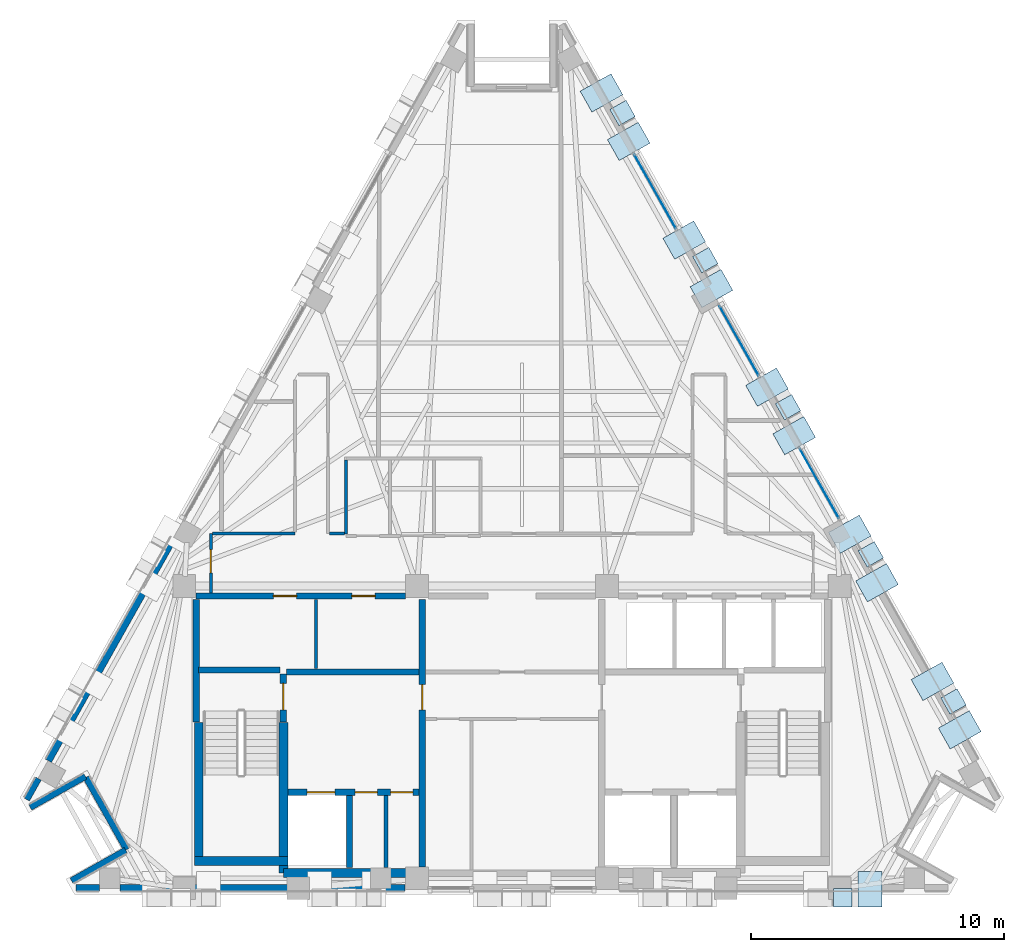
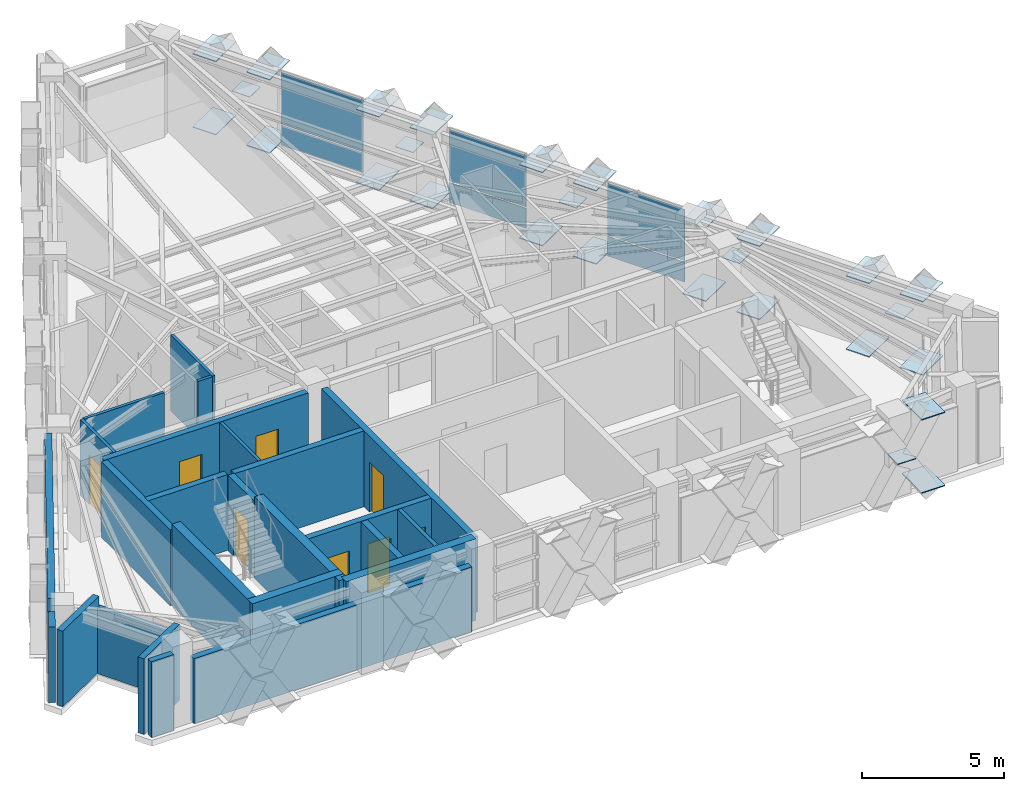
# One storey, part 6 of 11: 34 plates, 25 walls, 8 doors, 8 openings, 3 elements without a shape of their own.
"""IFC4 building model written with IfcOpenShell, lengths in metres."""

import ifcopenshell
import ifcopenshell.guid

model = None  # the IFC model being written
_history = None  # IfcOwnerHistory: only IFC2X3 demands one
_inside = {}  # id of a spatial element -> (the spatial element, [elements in it])
_under = {}  # id of a project, library or spatial element -> (it, [spatial elements below it])
_declared = {}  # id of a project -> (the project, [libraries it declares])
_typed = {}  # id of a type object -> (the type object, [elements of that type])
_made_of = {}  # id of a material, layer set ... -> (it, [elements and type objects made of it])


def new_model(schema):
    """Start an empty IFC model of exactly this schema.

    Asked for "IFC4X3", IfcOpenShell would pick the latest addendum, in which some entities
    have other attributes; the version numbers below select the first issue.
    IFC2X3 requires an IfcOwnerHistory on every rooted entity: one is made here for all.
    """
    global model, _history
    if schema == "IFC4X3":
        model = ifcopenshell.file(schema_version=(4, 3, 0, 0))
    else:
        model = ifcopenshell.file(schema=schema)
    _inside.clear()
    _under.clear()
    _declared.clear()
    _typed.clear()
    _made_of.clear()
    _history = None
    if model.schema == "IFC2X3":
        org = make("IfcOrganization", Name="unknown")
        user = make(
            "IfcPersonAndOrganization",
            ThePerson=make("IfcPerson", FamilyName="unknown"),
            TheOrganization=org,
        )
        app = make(
            "IfcApplication",
            ApplicationDeveloper=org,
            Version="unknown",
            ApplicationFullName="unknown",
            ApplicationIdentifier="unknown",
        )
        _history = make(
            "IfcOwnerHistory",
            OwningUser=user,
            OwningApplication=app,
            ChangeAction="ADDED",
            CreationDate=0,
        )
    return model


def make(cls, **values):
    """One entity of the class cls with the attributes given. An attribute that is None is left unset."""
    return model.create_entity(
        cls, **{name: value for name, value in values.items() if value is not None}
    )


def rooted(cls, **values):
    """An entity with a GlobalId (a new one), such as an element, a storey or a relation."""
    return make(cls, GlobalId=ifcopenshell.guid.new(), OwnerHistory=_history, **values)


def si_unit(unit_type, name, prefix=None):
    """IfcSIUnit, for example si_unit("LENGTHUNIT", "METRE", prefix="MILLI")."""
    return make("IfcSIUnit", UnitType=unit_type, Prefix=prefix, Name=name)


def assignment(units):
    """IfcUnitAssignment: the units of a project."""
    return None if units is None else make("IfcUnitAssignment", Units=units)


def point(xyz):
    """IfcCartesianPoint."""
    return None if xyz is None else make("IfcCartesianPoint", Coordinates=xyz)


def direction(xyz):
    """IfcDirection."""
    return None if xyz is None else make("IfcDirection", DirectionRatios=xyz)


def frame(location, z_axis=None, x_axis=None):
    """IfcAxis2Placement3D, a coordinate frame: its origin and axes. An axis left out is left unset."""
    return make(
        "IfcAxis2Placement3D",
        Location=point(location),
        Axis=direction(z_axis),
        RefDirection=direction(x_axis),
    )


def frame_2d(location, x_axis=None):
    """IfcAxis2Placement2D, a coordinate frame in the plane: its origin and x axis."""
    return make(
        "IfcAxis2Placement2D", Location=point(location), RefDirection=direction(x_axis)
    )


def origin():
    """The frame at (0, 0, 0) with its axes left unset."""
    return frame((0.0, 0.0, 0.0))


def origin_2d():
    """The frame at (0, 0) in the plane with its x axis left unset."""
    return frame_2d((0.0, 0.0))


def place(relative_to, where):
    """IfcLocalPlacement: puts the frame where relative to a parent placement (None: the world)."""
    return make(
        "IfcLocalPlacement", PlacementRelTo=relative_to, RelativePlacement=where
    )


def context(
    kind, dimensions, precision=None, world=None, true_north=None, identifier=None
):
    """IfcGeometricRepresentationContext, for example the 3D "Model" context."""
    return make(
        "IfcGeometricRepresentationContext",
        ContextIdentifier=identifier,
        ContextType=kind,
        CoordinateSpaceDimension=dimensions,
        Precision=precision,
        WorldCoordinateSystem=world,
        TrueNorth=true_north,
    )


def subcontext(parent, identifier, kind, view, scale=None):
    """IfcGeometricRepresentationSubContext, for example "Body" below "Model"."""
    return make(
        "IfcGeometricRepresentationSubContext",
        ContextIdentifier=identifier,
        ContextType=kind,
        ParentContext=parent,
        TargetScale=scale,
        TargetView=view,
    )


def project(units=None, contexts=None):
    """IfcProject with its units and contexts."""
    return rooted(
        "IfcProject",
        Name="project",
        RepresentationContexts=contexts,
        UnitsInContext=assignment(units),
    )


def spatial(cls, under=None, at=None, **own):
    """A site, building, storey or space (cls), placed at a placement, below another one or the project."""
    s = rooted(cls, ObjectPlacement=at, **own)
    if under is not None:
        _under.setdefault(under.id(), (under, []))[1].append(s)
    return s


def profile(cls, at=None, kind="AREA", **sizes):
    """A parametric profile (cls). Its sizes go by their IFC names, for example OverallWidth=200.0."""
    return make(cls, ProfileType=kind, Position=at, **sizes)


def rectangle(**sizes):
    """IfcRectangleProfileDef."""
    return profile("IfcRectangleProfileDef", **sizes)


def extrude(swept, where, along, depth):
    """IfcExtrudedAreaSolid: the profile swept, set in the frame where, extruded along a direction by depth."""
    return make(
        "IfcExtrudedAreaSolid",
        SweptArea=swept,
        Position=where,
        ExtrudedDirection=direction(along),
        Depth=depth,
    )


def shape(context_of_items, identifier, shape_type, items):
    """IfcShapeRepresentation: the items that make up one representation, for example the "Body"."""
    return make(
        "IfcShapeRepresentation",
        ContextOfItems=context_of_items,
        RepresentationIdentifier=identifier,
        RepresentationType=shape_type,
        Items=items,
    )


def material(Name=None, Category=None):
    """IfcMaterial."""
    return make("IfcMaterial", Name=Name, Category=Category)


def layer(
    of_material, thickness, ventilated=None, Name=None, Category=None, Priority=None
):
    """IfcMaterialLayer: one layer of a wall or slab, of a material (None: an air gap)."""
    return make(
        "IfcMaterialLayer",
        Material=of_material,
        LayerThickness=thickness,
        IsVentilated=ventilated,
        Name=Name,
        Category=Category,
        Priority=Priority,
    )


def layer_set(layers, Name=None):
    """IfcMaterialLayerSet."""
    return make("IfcMaterialLayerSet", MaterialLayers=layers, LayerSetName=Name)


def made_of(thing, what):
    """Note that an element or type object is made of a material, layer set ...; save() writes the relation."""
    if what is not None:
        _made_of.setdefault(what.id(), (what, []))[1].append(thing)
    return thing


def type_object(cls, material=None, **own):
    """A type object (cls), such as IfcWallType, which elements share."""
    return made_of(rooted(cls, **own), material)


def element(
    cls,
    number,
    at=None,
    inside=None,
    cuts=None,
    type_object=None,
    material=None,
    context=None,
    identifier="Body",
    shape_type=None,
    held_by="IfcProductDefinitionShape",
    body=None,
    shapes=None,
    **own,
):
    """One element of the class cls, such as IfcWall. Its Tag is "e" and its number.

    at: its placement. inside: the storey or other place that contains it. cuts: it is an
    opening in that element (IfcRelVoidsElement). A single representation is given by context,
    identifier, shape_type and body (its items); several are given by shapes. held_by: the class
    of the entity that holds the representations. save() writes the other relations.
    """
    e = rooted(cls, Tag="e%d" % number, ObjectPlacement=at, **own)
    if body is not None:
        shapes = [shape(context, identifier, shape_type, body)]
    if shapes is not None:
        e.Representation = make(held_by, Representations=shapes)
    if inside is not None:
        _inside.setdefault(inside.id(), (inside, []))[1].append(e)
    if cuts is not None:
        rooted(
            "IfcRelVoidsElement", RelatingBuildingElement=cuts, RelatedOpeningElement=e
        )
    if type_object is not None:
        _typed.setdefault(type_object.id(), (type_object, []))[1].append(e)
    return made_of(e, material)


def fill(opening, filler):
    """IfcRelFillsElement: the door or window that sits in an opening."""
    return rooted(
        "IfcRelFillsElement",
        RelatingOpeningElement=opening,
        RelatedBuildingElement=filler,
    )


def aggregate(whole, parts):
    """IfcRelAggregates: a whole, such as a stair, and the parts it consists of."""
    return rooted("IfcRelAggregates", RelatingObject=whole, RelatedObjects=parts)


def save(model, path):
    """Write the relations noted so far, then the file.

    IfcRelAggregates (storeys below a building ...), IfcRelContainedInSpatialStructure (elements
    in a storey), IfcRelDefinesByType, IfcRelAssociatesMaterial and IfcRelDeclares: one each for
    every whole, place, type object, material and project.
    """
    for whole, parts in _under.values():
        aggregate(whole, parts)
    for where, things in _inside.values():
        rooted(
            "IfcRelContainedInSpatialStructure",
            RelatedElements=things,
            RelatingStructure=where,
        )
    for kind, things in _typed.values():
        rooted("IfcRelDefinesByType", RelatedObjects=things, RelatingType=kind)
    for what, things in _made_of.values():
        rooted("IfcRelAssociatesMaterial", RelatedObjects=things, RelatingMaterial=what)
    for by, libraries in _declared.values():
        rooted("IfcRelDeclares", RelatingContext=by, RelatedDefinitions=libraries)
    model.write(path)


model = new_model("IFC4")

# Units and contexts
model_context = context("Model", 3, precision=1e-05, world=origin(), true_north=direction((0.0, 1.0)))
body_context = subcontext(model_context, "Body", "Model", "MODEL_VIEW")
ifc_project = project(units=[si_unit("LENGTHUNIT", "METRE"), si_unit("AREAUNIT", "SQUARE_METRE"), si_unit("VOLUMEUNIT", "CUBIC_METRE"), si_unit("PLANEANGLEUNIT", "RADIAN"), si_unit("MASSUNIT", "GRAM", prefix="KILO")], contexts=[model_context])

# Site, building, storey
site_placement = place(None, origin())
site = spatial("IfcSite", under=ifc_project, at=site_placement, CompositionType="ELEMENT")
building_placement = place(site_placement, origin())
building = spatial("IfcBuilding", under=site, at=building_placement, Name="Quenlor Broadcast Tower", CompositionType="ELEMENT")
storey_placement = place(building_placement, frame((0.0, 0.0, 263.89990234375)))
storey = spatial("IfcBuildingStorey", under=building, at=storey_placement, Name="L73", CompositionType="ELEMENT", Elevation=263.89990234375)

# Curtain wall, plates
ifc_material_1 = material(Name="Architectural Terracotta and Low-E Glazing", Category="masonry")
curtain_wall_type = type_object("IfcCurtainWallType", Name="Unitised Terracotta Curtain Wall System Z5", PredefinedType="NOTDEFINED", material=ifc_material_1)
curtain_wall_1_placement = place(storey_placement, origin())
curtain_wall_1 = element("IfcCurtainWall", 1, at=curtain_wall_1_placement, inside=storey, type_object=curtain_wall_type, Name="L73 Curtain Wall CW5 (L73-NEA-G1)", PredefinedType="NOTDEFINED")
ifc_material_2 = material(Name="Double Glazed Low-E Solar Glass", Category="glass")
ifc_layer_1 = layer(ifc_material_2, 0.02587890625)
ifc_layer_set_1 = layer_set([ifc_layer_1], Name="CW5 Double Glazed Vision Panel 26")
plate_type_1 = type_object("IfcPlateType", Name="CW5 Double Glazed Vision Panel 26", PredefinedType="CURTAIN_PANEL", material=ifc_layer_set_1)
plate_1_placement = place(storey_placement, frame((5.65576171875, 10.784423828125, 0.065185546875), z_axis=(0.0, 0.0, 1.0), x_axis=(0.490250335582, -0.871581670563, 0.0)))
plate_1 = element("IfcPlate", 2, at=plate_1_placement, type_object=plate_type_1, Name="CW5 panel 1.1", PredefinedType="CURTAIN_PANEL", context=body_context, shape_type="SweptSolid", body=[
    extrude(rectangle(XDim=3.353271484375, YDim=0.02587890625, at=origin_2d()), origin(), (0.0, 0.0, 1.0), 0.8525390625),
])
plate_2_placement = place(storey_placement, frame((5.65576171875, 10.784423828125, 0.982421875), z_axis=(0.0, 0.0, 1.0), x_axis=(0.490250335582, -0.871581670563, 0.0)))
plate_2 = element("IfcPlate", 3, at=plate_2_placement, type_object=plate_type_1, Name="CW5 panel 1.2", PredefinedType="CURTAIN_PANEL", context=body_context, shape_type="SweptSolid", body=[
    extrude(rectangle(XDim=3.353271484375, YDim=0.02587890625, at=origin_2d()), origin(), (0.0, 0.0, 1.0), 2.202392578125),
])
aggregate(curtain_wall_1, [plate_1, plate_2])

curtain_wall_2_placement = place(storey_placement, origin())
curtain_wall_2 = element("IfcCurtainWall", 4, at=curtain_wall_2_placement, inside=storey, type_object=curtain_wall_type, Name="L73 Curtain Wall CW5 (L73-NE-G1)", PredefinedType="NOTDEFINED")
plate_3_placement = place(storey_placement, frame((8.976806640625, 4.88037109375, 0.065185546875), z_axis=(0.0, 0.0, 1.0), x_axis=(0.490262689797, -0.871574721405, 0.0)))
plate_3 = element("IfcPlate", 5, at=plate_3_placement, type_object=plate_type_1, Name="CW5 panel 1.1", PredefinedType="CURTAIN_PANEL", context=body_context, shape_type="SweptSolid", body=[
    extrude(rectangle(XDim=3.14404296875, YDim=0.02587890625, at=origin_2d()), origin(), (0.0, 0.0, 1.0), 0.8525390625),
])
plate_4_placement = place(storey_placement, frame((8.976806640625, 4.88037109375, 0.982421875), z_axis=(0.0, 0.0, 1.0), x_axis=(0.490262689797, -0.871574721405, 0.0)))
plate_4 = element("IfcPlate", 6, at=plate_4_placement, type_object=plate_type_1, Name="CW5 panel 1.2", PredefinedType="CURTAIN_PANEL", context=body_context, shape_type="SweptSolid", body=[
    extrude(rectangle(XDim=3.14404296875, YDim=0.02587890625, at=origin_2d()), origin(), (0.0, 0.0, 1.0), 2.202392578125),
])
aggregate(curtain_wall_2, [plate_3, plate_4])

curtain_wall_3_placement = place(storey_placement, origin())
curtain_wall_3 = element("IfcCurtainWall", 7, at=curtain_wall_3_placement, inside=storey, type_object=curtain_wall_type, Name="L73 Curtain Wall CW5 (L73-NE-G2)", PredefinedType="NOTDEFINED")
plate_5_placement = place(storey_placement, frame((12.143798828125, -0.75, 0.065185546875), z_axis=(0.0, 0.0, 1.0), x_axis=(0.490262689797, -0.871574721405, 0.0)))
plate_5 = element("IfcPlate", 8, at=plate_5_placement, type_object=plate_type_1, Name="CW5 panel 1.1", PredefinedType="CURTAIN_PANEL", context=body_context, shape_type="SweptSolid", body=[
    extrude(rectangle(XDim=3.14404296875, YDim=0.02587890625, at=origin_2d()), origin(), (0.0, 0.0, 1.0), 0.8525390625),
])
plate_6_placement = place(storey_placement, frame((12.143798828125, -0.75, 0.982421875), z_axis=(0.0, 0.0, 1.0), x_axis=(0.490262689797, -0.871574721405, 0.0)))
plate_6 = element("IfcPlate", 9, at=plate_6_placement, type_object=plate_type_1, Name="CW5 panel 1.2", PredefinedType="CURTAIN_PANEL", context=body_context, shape_type="SweptSolid", body=[
    extrude(rectangle(XDim=3.14404296875, YDim=0.02587890625, at=origin_2d()), origin(), (0.0, 0.0, 1.0), 2.202392578125),
])
aggregate(curtain_wall_3, [plate_5, plate_6])

# Plates
ifc_material_3 = material(Name="Steel S355", Category="steel")
ifc_layer_2 = layer(ifc_material_3, 0.028076171875)
ifc_layer_set_2 = layer_set([ifc_layer_2], Name="Perimeter Lattice Node Steel S355 Cap Plate 740x740x28")
plate_type_2 = type_object("IfcPlateType", Name="Perimeter Lattice Node Steel S355 Cap Plate 740x740x28", PredefinedType="USERDEFINED", material=ifc_layer_set_2)
for number, where, z_axis, x_axis, name in (
    (10, (13.06396484375, -17.1201171875, 1.6162109375), (0.0, 0.0, 1.0), (-1.0, 0.0, 0.0), "L73 Diamond Lattice Crossing Node S-C1"),
    (11, (4.365234375, 13.884521484375, 1.6162109375), (0.0, 0.0, 1.0), (0.490295412055, -0.871556314255, 0.0), "L73 Diamond Lattice Crossing Node NE-C1"),
    (12, (7.635009765625, 8.071533203125, 1.6162109375), (0.0, 0.0, 1.0), (0.490295412055, -0.871556314255, 0.0), "L73 Diamond Lattice Crossing Node NE-C2"),
    (13, (10.904541015625, 2.2587890625, 1.6162109375), (0.0, 0.0, 1.0), (0.490295412055, -0.871556314255, 0.0), "L73 Diamond Lattice Crossing Node NE-C3"),
    (14, (14.17431640625, -3.553955078125, 1.6162109375), (0.0, 0.0, 1.0), (0.490295412055, -0.871556314255, 0.0), "L73 Diamond Lattice Crossing Node NE-C4"),
    (15, (17.444091796875, -9.36669921875, 1.6162109375), (0.0, 0.0, 1.0), (0.490295412055, -0.871556314255, 0.0), "L73 Diamond Lattice Crossing Node NE-C5"),
):
    element("IfcPlate", number, at=place(storey_placement, frame(where, z_axis=z_axis, x_axis=x_axis)), inside=storey, type_object=plate_type_2, Name=name, ObjectType="CAP PLATE", PredefinedType="USERDEFINED", context=body_context, shape_type="SweptSolid", body=[
        extrude(rectangle(XDim=0.739990234375, YDim=0.739990234375, at=origin_2d()), origin(), (0.0, 0.0, 1.0), 0.028076171875),
    ])
ifc_material_4 = material(Name="Steel S355", Category="steel")
ifc_layer_3 = layer(ifc_material_4, 0.035888671875)
ifc_layer_set_3 = layer_set([ifc_layer_3], Name="Transfer Truss Steel S355 Gusset Node Plate 1400x950x36")
plate_type_3 = type_object("IfcPlateType", Name="Transfer Truss Steel S355 Gusset Node Plate 1400x950x36", PredefinedType="SHEET", material=ifc_layer_set_3)
for number, where, z_axis, x_axis, name in (
    (16, (14.1396484375, -16.784912109375, 0.0419921875), (0.0, 0.0, 1.0), (0.0, -1.0, 0.0), "L73 Lattice Tie Gusset Node S-B1"),
    (17, (14.1396484375, -16.784912109375, 3.18212890625), (0.0, 0.0, 1.0), (0.0, -1.0, 0.0), "L73 Lattice Tie Gusset Node S-T1"),
    (18, (3.534912109375, 14.677490234375, 0.0419921875), (0.0, 0.0, 1.0), (0.871556314255, 0.490295412055, 0.0), "L73 Lattice Tie Gusset Node NE-B1"),
    (19, (4.611572265625, 12.762939453125, 3.18212890625), (0.0, 0.0, 1.0), (0.871556314255, 0.490295412055, 0.0), "L73 Lattice Tie Gusset Node NE-T2"),
    (20, (4.611572265625, 12.762939453125, 0.0419921875), (0.0, 0.0, 1.0), (0.871556314255, 0.490295412055, 0.0), "L73 Lattice Tie Gusset Node NE-B2"),
    (21, (3.534912109375, 14.677490234375, 3.18212890625), (0.0, 0.0, 1.0), (0.871556314255, 0.490295412055, 0.0), "L73 Lattice Tie Gusset Node NE-T1"),
    (22, (6.804443359375, 8.864501953125, 0.0419921875), (0.0, 0.0, 1.0), (0.871556314255, 0.490295412055, 0.0), "L73 Lattice Tie Gusset Node NE-B4"),
    (23, (7.88134765625, 6.9501953125, 3.18212890625), (0.0, 0.0, 1.0), (0.871556314255, 0.490295412055, 0.0), "L73 Lattice Tie Gusset Node NE-T5"),
    (24, (7.88134765625, 6.9501953125, 0.0419921875), (0.0, 0.0, 1.0), (0.871556314255, 0.490295412055, 0.0), "L73 Lattice Tie Gusset Node NE-B5"),
    (25, (6.804443359375, 8.864501953125, 3.18212890625), (0.0, 0.0, 1.0), (0.871556314255, 0.490295412055, 0.0), "L73 Lattice Tie Gusset Node NE-T4"),
    (26, (10.07421875, 3.0517578125, 0.0419921875), (0.0, 0.0, 1.0), (0.871556314255, 0.490295412055, 0.0), "L73 Lattice Tie Gusset Node NE-B7"),
    (27, (11.15087890625, 1.137451171875, 3.18212890625), (0.0, 0.0, 1.0), (0.871556314255, 0.490295412055, 0.0), "L73 Lattice Tie Gusset Node NE-T8"),
    (28, (11.15087890625, 1.137451171875, 0.0419921875), (0.0, 0.0, 1.0), (0.871556314255, 0.490295412055, 0.0), "L73 Lattice Tie Gusset Node NE-B8"),
    (29, (10.07421875, 3.0517578125, 3.18212890625), (0.0, 0.0, 1.0), (0.871556314255, 0.490295412055, 0.0), "L73 Lattice Tie Gusset Node NE-T7"),
    (30, (13.343994140625, -2.760986328125, 0.0419921875), (0.0, 0.0, 1.0), (0.871556314255, 0.490295412055, 0.0), "L73 Lattice Tie Gusset Node NE-B10"),
    (31, (14.420654296875, -4.67529296875, 3.18212890625), (0.0, 0.0, 1.0), (0.871556314255, 0.490295412055, 0.0), "L73 Lattice Tie Gusset Node NE-T11"),
    (32, (14.420654296875, -4.67529296875, 0.0419921875), (0.0, 0.0, 1.0), (0.871556314255, 0.490295412055, 0.0), "L73 Lattice Tie Gusset Node NE-B11"),
    (33, (13.343994140625, -2.760986328125, 3.18212890625), (0.0, 0.0, 1.0), (0.871556314255, 0.490295412055, 0.0), "L73 Lattice Tie Gusset Node NE-T10"),
    (34, (16.613525390625, -8.57373046875, 0.0419921875), (0.0, 0.0, 1.0), (0.871556314255, 0.490295412055, 0.0), "L73 Lattice Tie Gusset Node NE-B13"),
    (35, (17.6904296875, -10.48828125, 3.18212890625), (0.0, 0.0, 1.0), (0.871556314255, 0.490295412055, 0.0), "L73 Lattice Tie Gusset Node NE-T14"),
    (36, (17.6904296875, -10.48828125, 0.0419921875), (0.0, 0.0, 1.0), (0.871556314255, 0.490295412055, 0.0), "L73 Lattice Tie Gusset Node NE-B14"),
    (37, (16.613525390625, -8.57373046875, 3.18212890625), (0.0, 0.0, 1.0), (0.871556314255, 0.490295412055, 0.0), "L73 Lattice Tie Gusset Node NE-T13"),
):
    element("IfcPlate", number, at=place(storey_placement, frame(where, z_axis=z_axis, x_axis=x_axis)), inside=storey, type_object=plate_type_3, Name=name, PredefinedType="SHEET", context=body_context, shape_type="SweptSolid", body=[
        extrude(rectangle(XDim=1.39990234375, YDim=0.949951171875, at=origin_2d()), origin(), (0.0, 0.0, 1.0), 0.035888671875),
    ])

# Walls
ifc_material_5 = material(Name="Concrete C50/60", Category="concrete")
ifc_layer_4 = layer(ifc_material_5, 0.35009765625)
ifc_layer_set_4 = layer_set([ifc_layer_4], Name="Core Concrete C50/60 Shear Wall 350")
wall_type_1 = type_object("IfcWallType", Name="Core Concrete C50/60 Shear Wall 350", PredefinedType="SHEAR", material=ifc_layer_set_4)
wall_1_placement = place(storey_placement, frame((-12.550048828125, -15.675048828125, 0.0), z_axis=(0.0, 0.0, 1.0), x_axis=(1.0, 0.0, 0.0)))
element("IfcWall", 38, at=wall_1_placement, inside=storey, type_object=wall_type_1, Name="L73 Core Shear Wall WS-W1", PredefinedType="SHEAR", context=body_context, shape_type="SweptSolid", body=[
    extrude(rectangle(XDim=3.699951171875, YDim=0.35009765625, at=frame_2d((1.85009765625, 0.0))), origin(), (0.0, 0.0, 1.0), 3.5),
])
wall_2_placement = place(storey_placement, frame((-9.02490234375, -16.14990234375, 0.0), z_axis=(0.0, 0.0, 1.0), x_axis=(1.0, 0.0, 0.0)))
element("IfcWall", 39, at=wall_2_placement, inside=storey, type_object=wall_type_1, Name="L73 Core Shear Wall WS-W2", PredefinedType="SHEAR", context=body_context, shape_type="SweptSolid", body=[
    extrude(rectangle(XDim=5.27490234375, YDim=0.35009765625, at=frame_2d((2.637451171875, 0.0))), origin(), (0.0, 0.0, 1.0), 3.5),
])
wall_3_placement = place(storey_placement, frame((-12.375, -15.675048828125, 0.0), z_axis=(0.0, 0.0, 1.0), x_axis=(0.0, 1.0, 0.0)))
element("IfcWall", 40, at=wall_3_placement, inside=storey, type_object=wall_type_1, Name="L73 Core Shear Wall WF-W", PredefinedType="SHEAR", context=body_context, shape_type="SweptSolid", body=[
    extrude(rectangle(XDim=5.47509765625, YDim=0.35009765625, at=frame_2d((2.737548828125, 0.0))), origin(), (0.0, 0.0, 1.0), 3.5),
])
wall_4_placement = place(storey_placement, frame((-9.02490234375, -16.14990234375, 0.0), z_axis=(0.0, 0.0, 1.0), x_axis=(0.0, 1.0, 0.0)))
element("IfcWall", 41, at=wall_4_placement, inside=storey, type_object=wall_type_1, Name="L73 Core Shear Wall WI-W", PredefinedType="SHEAR", context=body_context, shape_type="SweptSolid", body=[
    extrude(rectangle(XDim=5.949951171875, YDim=0.35009765625, at=frame_2d((2.97509765625, 0.0))), origin(), (0.0, 0.0, 1.0), 3.5),
])

# Wall, opening, door
ifc_material_6 = material(Name="Concrete C40/50", Category="concrete")
ifc_layer_5 = layer(ifc_material_6, 0.25)
ifc_layer_set_5 = layer_set([ifc_layer_5], Name="Fire Rated Concrete C40/50 Core Wall 250")
wall_type_2 = type_object("IfcWallType", Name="Fire Rated Concrete C40/50 Core Wall 250", PredefinedType="PARTITIONING", material=ifc_layer_set_5)
wall_5_placement = place(storey_placement, frame((-9.0400390625, -10.179931640625, 0.0), z_axis=(0.0, 0.0, 1.0), x_axis=(0.0, 1.0, 0.0)))
wall_5 = element("IfcWall", 42, at=wall_5_placement, inside=storey, type_object=wall_type_2, Name="L73 Interior Wall CW-ST1-DR", PredefinedType="PARTITIONING", context=body_context, shape_type="SweptSolid", body=[
    extrude(rectangle(XDim=1.89990234375, YDim=0.25, at=frame_2d((0.949951171875, 0.0))), origin(), (0.0, 0.0, 1.0), 3.25),
])
opening_1_placement = place(wall_5_placement, frame((0.47998046875, 0.0, 0.0)))
opening_1 = element("IfcOpeningElement", 43, at=opening_1_placement, cuts=wall_5, Name="Opening FD-1", PredefinedType="OPENING", context=body_context, shape_type="SweptSolid", body=[
    extrude(rectangle(XDim=1.050048828125, YDim=2.14990234375, at=frame_2d((0.52490234375, 1.074951171875))), frame((0.0, 0.135009765625, 0.0), z_axis=(0.0, -1.0, 0.0), x_axis=(1.0, 0.0, 0.0)), (0.0, 0.0, 1.0), 0.27001953125),
])
ifc_material_7 = material(Name="Fire Rated Steel Door Leaf", Category="steel")
door_type_1 = type_object("IfcDoorType", Name="Fire Isolated Stair Door 1050x2150", OperationType="NOTDEFINED", PredefinedType="DOOR", material=ifc_material_7)
door_1_placement = place(opening_1_placement, origin())
door_1 = element("IfcDoor", 44, at=door_1_placement, inside=storey, type_object=door_type_1, Name="L73 Door DR-ST1", OperationType="SINGLE_SWING_LEFT", OverallHeight=2.14990234375, OverallWidth=1.050048828125, PredefinedType="DOOR", context=body_context, shape_type="SweptSolid", body=[
    extrude(rectangle(XDim=1.050048828125, YDim=2.14990234375, at=frame_2d((0.52490234375, 1.074951171875))), frame((0.0, 0.02490234375, 0.0), z_axis=(0.0, -1.0, 0.0), x_axis=(1.0, 0.0, 0.0)), (0.0, 0.0, 1.0), 0.050048828125),
])
fill(opening_1, door_1)

# Walls
wall_6_placement = place(storey_placement, frame((-12.3798828125, -8.1201171875, 0.0), z_axis=(0.0, 0.0, 1.0), x_axis=(1.0, 0.0, 0.0)))
element("IfcWall", 45, at=wall_6_placement, inside=storey, type_object=wall_type_2, Name="L73 Interior Wall CW-ST1-N", PredefinedType="PARTITIONING", context=body_context, shape_type="SweptSolid", body=[
    extrude(rectangle(XDim=3.219970703125, YDim=0.25, at=frame_2d((1.60986328125, 0.0))), origin(), (0.0, 0.0, 1.0), 3.25),
])
wall_7_placement = place(storey_placement, frame((-12.47998046875, -10.179931640625, 0.0), z_axis=(0.0, 0.0, 1.0), x_axis=(0.0, 1.0, 0.0)))
element("IfcWall", 46, at=wall_7_placement, inside=storey, type_object=wall_type_2, Name="L73 Interior Wall CW-ST1-W2", PredefinedType="PARTITIONING", context=body_context, shape_type="SweptSolid", body=[
    extrude(rectangle(XDim=4.83984375, YDim=0.25, at=frame_2d((2.419921875, 0.0))), origin(), (0.0, 0.0, 1.0), 3.25),
])

# Wall, openings, doors
wall_8_placement = place(storey_placement, frame((-8.847900390625, -12.949951171875, 0.0), z_axis=(0.0, 0.0, 1.0), x_axis=(1.0, 0.0, 0.0)))
wall_8 = element("IfcWall", 47, at=wall_8_placement, inside=storey, type_object=wall_type_2, Name="L73 Interior Wall CW-FFW-S", PredefinedType="PARTITIONING", context=body_context, shape_type="SweptSolid", body=[
    extrude(rectangle(XDim=5.16796875, YDim=0.25, at=frame_2d((2.583984375, 0.0))), origin(), (0.0, 0.0, 1.0), 3.25),
])
opening_2_placement = place(wall_8_placement, frame((0.748046875, 0.0, 0.0)))
opening_2 = element("IfcOpeningElement", 48, at=opening_2_placement, cuts=wall_8, Name="Opening LD-FFL-1", PredefinedType="OPENING", context=body_context, shape_type="SweptSolid", body=[
    extrude(rectangle(XDim=1.10009765625, YDim=2.14990234375, at=frame_2d((0.550048828125, 1.074951171875))), frame((0.0, 0.135009765625, 0.0), z_axis=(0.0, -1.0, 0.0), x_axis=(1.0, 0.0, 0.0)), (0.0, 0.0, 1.0), 0.27001953125),
])
opening_3_placement = place(wall_8_placement, frame((2.64794921875, 0.0, 0.0)))
opening_3 = element("IfcOpeningElement", 49, at=opening_3_placement, cuts=wall_8, Name="Opening TD-1", PredefinedType="OPENING", context=body_context, shape_type="SweptSolid", body=[
    extrude(rectangle(XDim=0.8798828125, YDim=2.10009765625, at=frame_2d((0.43994140625, 1.050048828125))), frame((0.0, 0.135009765625, 0.0), z_axis=(0.0, -1.0, 0.0), x_axis=(1.0, 0.0, 0.0)), (0.0, 0.0, 1.0), 0.27001953125),
])
opening_4_placement = place(wall_8_placement, frame((4.048095703125, 0.0, 0.0)))
opening_4 = element("IfcOpeningElement", 50, at=opening_4_placement, cuts=wall_8, Name="Opening TD-1", PredefinedType="OPENING", context=body_context, shape_type="SweptSolid", body=[
    extrude(rectangle(XDim=0.8798828125, YDim=2.10009765625, at=frame_2d((0.43994140625, 1.050048828125))), frame((0.0, 0.135009765625, 0.0), z_axis=(0.0, -1.0, 0.0), x_axis=(1.0, 0.0, 0.0)), (0.0, 0.0, 1.0), 0.27001953125),
])
ifc_material_8 = material(Name="Brushed Stainless Steel", Category="steel")
door_type_2 = type_object("IfcDoorType", Name="Emergency Lift Sliding Landing Door 1100x2150", OperationType="NOTDEFINED", PredefinedType="DOOR", material=ifc_material_8)
door_2_placement = place(opening_2_placement, origin())
door_2 = element("IfcDoor", 51, at=door_2_placement, inside=storey, type_object=door_type_2, Name="L73 Door LD-FFL-1", OperationType="SLIDING_TO_LEFT", OverallHeight=2.14990234375, OverallWidth=1.10009765625, PredefinedType="DOOR", context=body_context, shape_type="SweptSolid", body=[
    extrude(rectangle(XDim=1.10009765625, YDim=2.14990234375, at=frame_2d((0.550048828125, 1.074951171875))), frame((0.0, 0.02490234375, 0.0), z_axis=(0.0, -1.0, 0.0), x_axis=(1.0, 0.0, 0.0)), (0.0, 0.0, 1.0), 0.050048828125),
])
fill(opening_2, door_2)
ifc_material_9 = material(Name="Fire Rated Steel Access Panel", Category="steel")
door_type_3 = type_object("IfcDoorType", Name="Riser Shaft Rated Access Trapdoor 880x2100", OperationType="NOTDEFINED", PredefinedType="TRAPDOOR", material=ifc_material_9)
door_3_placement = place(opening_3_placement, origin())
door_3 = element("IfcDoor", 52, at=door_3_placement, inside=storey, type_object=door_type_3, Name="L73 Door DR-ELR", OperationType="SINGLE_SWING_LEFT", OverallHeight=2.10009765625, OverallWidth=0.8798828125, PredefinedType="TRAPDOOR", context=body_context, shape_type="SweptSolid", body=[
    extrude(rectangle(XDim=0.8798828125, YDim=2.10009765625, at=frame_2d((0.43994140625, 1.050048828125))), frame((0.0, 0.02490234375, 0.0), z_axis=(0.0, -1.0, 0.0), x_axis=(1.0, 0.0, 0.0)), (0.0, 0.0, 1.0), 0.050048828125),
])
fill(opening_3, door_3)
door_4_placement = place(opening_4_placement, origin())
door_4 = element("IfcDoor", 53, at=door_4_placement, inside=storey, type_object=door_type_3, Name="L73 Door DR-CMR", OperationType="SINGLE_SWING_RIGHT", OverallHeight=2.10009765625, OverallWidth=0.8798828125, PredefinedType="TRAPDOOR", context=body_context, shape_type="SweptSolid", body=[
    extrude(rectangle(XDim=0.8798828125, YDim=2.10009765625, at=frame_2d((0.43994140625, 1.050048828125))), frame((0.0, 0.02490234375, 0.0), z_axis=(0.0, -1.0, 0.0), x_axis=(1.0, 0.0, 0.0)), (0.0, 0.0, 1.0), 0.050048828125),
])
fill(opening_4, door_4)

# Walls
wall_9_placement = place(storey_placement, frame((-6.419921875, -15.919921875, 0.0), z_axis=(0.0, 0.0, 1.0), x_axis=(0.0, 1.0, 0.0)))
element("IfcWall", 54, at=wall_9_placement, inside=storey, type_object=wall_type_2, Name="L73 Interior Wall CW-FF1-E", PredefinedType="PARTITIONING", context=body_context, shape_type="SweptSolid", body=[
    extrude(rectangle(XDim=2.829833984375, YDim=0.25, at=frame_2d((1.4150390625, 0.0))), origin(), (0.0, 0.0, 1.0), 3.25),
])
wall_10_placement = place(storey_placement, frame((-8.919921875, -8.199951171875, 0.0), z_axis=(0.0, 0.0, 1.0), x_axis=(1.0, 0.0, 0.0)))
element("IfcWall", 55, at=wall_10_placement, inside=storey, type_object=wall_type_2, Name="L73 Interior Wall CW-FFW-N", PredefinedType="PARTITIONING", context=body_context, shape_type="SweptSolid", body=[
    extrude(rectangle(XDim=5.239990234375, YDim=0.25, at=frame_2d((2.6201171875, 0.0))), origin(), (0.0, 0.0, 1.0), 3.25),
])

# Wall, opening, door
wall_11_placement = place(storey_placement, frame((-3.550048828125, -15.89794921875, 0.0), z_axis=(0.0, 0.0, 1.0), x_axis=(0.0, 1.0, 0.0)))
wall_11 = element("IfcWall", 56, at=wall_11_placement, inside=storey, type_object=wall_type_2, Name="L73 Interior Wall CW-FFW-E", PredefinedType="PARTITIONING", context=body_context, shape_type="SweptSolid", body=[
    extrude(rectangle(XDim=10.557861328125, YDim=0.25, at=frame_2d((5.27880859375, 0.0))), origin(), (0.0, 0.0, 1.0), 3.25),
])
opening_5_placement = place(wall_11_placement, frame((6.197998046875, 0.0, 0.0)))
opening_5 = element("IfcOpeningElement", 57, at=opening_5_placement, cuts=wall_11, Name="Opening FD-2", PredefinedType="OPENING", context=body_context, shape_type="SweptSolid", body=[
    extrude(rectangle(XDim=1.0, YDim=2.14990234375, at=frame_2d((0.5, 1.074951171875))), frame((0.0, 0.135009765625, 0.0), z_axis=(0.0, -1.0, 0.0), x_axis=(1.0, 0.0, 0.0)), (0.0, 0.0, 1.0), 0.27001953125),
])
ifc_material_10 = material(Name="Fire Rated Glazed Steel Door", Category="steel")
door_type_4 = type_object("IfcDoorType", Name="Firefighting Lobby Smoke Door 1000x2150", OperationType="NOTDEFINED", PredefinedType="DOOR", material=ifc_material_10)
door_5_placement = place(opening_5_placement, origin())
door_5 = element("IfcDoor", 58, at=door_5_placement, inside=storey, type_object=door_type_4, Name="L73 Door DR-FFLW", OperationType="SINGLE_SWING_RIGHT", OverallHeight=2.14990234375, OverallWidth=1.0, PredefinedType="DOOR", context=body_context, shape_type="SweptSolid", body=[
    extrude(rectangle(XDim=1.0, YDim=2.14990234375, at=frame_2d((0.5, 1.074951171875))), frame((0.0, 0.02490234375, 0.0), z_axis=(0.0, -1.0, 0.0), x_axis=(1.0, 0.0, 0.0)), (0.0, 0.0, 1.0), 0.050048828125),
])
fill(opening_5, door_5)

# Wall, openings, doors
wall_12_placement = place(storey_placement, frame((-12.47998046875, -5.199951171875, 0.0), z_axis=(0.0, 0.0, 1.0), x_axis=(1.0, 0.0, 0.0)))
wall_12 = element("IfcWall", 59, at=wall_12_placement, inside=storey, type_object=wall_type_2, Name="L73 Interior Wall CW-N-W", PredefinedType="PARTITIONING", context=body_context, shape_type="SweptSolid", body=[
    extrude(rectangle(XDim=8.278076171875, YDim=0.25, at=frame_2d((4.13916015625, 0.0))), origin(), (0.0, 0.0, 1.0), 3.25),
])
opening_6_placement = place(wall_12_placement, frame((3.050048828125, 0.0, 0.0)))
opening_6 = element("IfcOpeningElement", 60, at=opening_6_placement, cuts=wall_12, Name="Opening ID-1", PredefinedType="OPENING", context=body_context, shape_type="SweptSolid", body=[
    extrude(rectangle(XDim=0.919921875, YDim=2.1201171875, at=frame_2d((0.4599609375, 1.06005859375))), frame((0.0, 0.135009765625, 0.0), z_axis=(0.0, -1.0, 0.0), x_axis=(1.0, 0.0, 0.0)), (0.0, 0.0, 1.0), 0.27001953125),
])
opening_7_placement = place(wall_12_placement, frame((6.14990234375, 0.0, 0.0)))
opening_7 = element("IfcOpeningElement", 61, at=opening_7_placement, cuts=wall_12, Name="Opening ID-1", PredefinedType="OPENING", context=body_context, shape_type="SweptSolid", body=[
    extrude(rectangle(XDim=0.919921875, YDim=2.1201171875, at=frame_2d((0.4599609375, 1.06005859375))), frame((0.0, 0.135009765625, 0.0), z_axis=(0.0, -1.0, 0.0), x_axis=(1.0, 0.0, 0.0)), (0.0, 0.0, 1.0), 0.27001953125),
])
ifc_material_11 = material(Name="Solid Core Timber Oak", Category="wood")
door_type_5 = type_object("IfcDoorType", Name="Single Leaf Timber Office Door 920x2120", OperationType="NOTDEFINED", PredefinedType="DOOR", material=ifc_material_11)
door_6_placement = place(opening_6_placement, origin())
door_6 = element("IfcDoor", 62, at=door_6_placement, inside=storey, type_object=door_type_5, Name="L73 Door DR-RCL1", OperationType="SINGLE_SWING_LEFT", OverallHeight=2.1201171875, OverallWidth=0.919921875, PredefinedType="DOOR", context=body_context, shape_type="SweptSolid", body=[
    extrude(rectangle(XDim=0.919921875, YDim=2.1201171875, at=frame_2d((0.4599609375, 1.06005859375))), frame((0.0, 0.02490234375, 0.0), z_axis=(0.0, -1.0, 0.0), x_axis=(1.0, 0.0, 0.0)), (0.0, 0.0, 1.0), 0.050048828125),
])
fill(opening_6, door_6)
door_7_placement = place(opening_7_placement, origin())
door_7 = element("IfcDoor", 63, at=door_7_placement, inside=storey, type_object=door_type_5, Name="L73 Door DR-RCL2", OperationType="SINGLE_SWING_RIGHT", OverallHeight=2.1201171875, OverallWidth=0.919921875, PredefinedType="DOOR", context=body_context, shape_type="SweptSolid", body=[
    extrude(rectangle(XDim=0.919921875, YDim=2.1201171875, at=frame_2d((0.4599609375, 1.06005859375))), frame((0.0, 0.02490234375, 0.0), z_axis=(0.0, -1.0, 0.0), x_axis=(1.0, 0.0, 0.0)), (0.0, 0.0, 1.0), 0.050048828125),
])
fill(opening_7, door_7)

# Walls
ifc_material_12 = material(Name="Gypsum Fireboard Partition", Category="other")
ifc_layer_6 = layer(ifc_material_12, 0.159912109375)
ifc_layer_set_6 = layer_set([ifc_layer_6], Name="Fire Rated Shaft and Corridor Partition 160")
wall_type_3 = type_object("IfcWallType", Name="Fire Rated Shaft and Corridor Partition 160", PredefinedType="PARTITIONING", material=ifc_layer_set_6)
wall_13_placement = place(storey_placement, frame((-4.97998046875, -15.919921875, 0.0), z_axis=(0.0, 0.0, 1.0), x_axis=(0.0, 1.0, 0.0)))
element("IfcWall", 64, at=wall_13_placement, inside=storey, type_object=wall_type_3, Name="L73 Interior Wall CW-ELR-E", PredefinedType="PARTITIONING", context=body_context, shape_type="SweptSolid", body=[
    extrude(rectangle(XDim=2.829833984375, YDim=0.159912109375, at=frame_2d((1.4150390625, 0.0))), origin(), (0.0, 0.0, 1.0), 3.25),
])
ifc_material_13 = material(Name="Gypsum Plasterboard Partition", Category="other")
ifc_layer_7 = layer(ifc_material_13, 0.1201171875)
ifc_layer_set_7 = layer_set([ifc_layer_7], Name="Standard Office Partition 120")
wall_type_4 = type_object("IfcWallType", Name="Standard Office Partition 120", PredefinedType="PARTITIONING", material=ifc_layer_set_7)
wall_14_placement = place(storey_placement, frame((-7.75, -8.072998046875, 0.0), z_axis=(0.0, 0.0, 1.0), x_axis=(0.0, 1.0, 0.0)))
element("IfcWall", 65, at=wall_14_placement, inside=storey, type_object=wall_type_4, Name="L73 Interior Wall CW-RCL-MID", PredefinedType="PARTITIONING", context=body_context, shape_type="SweptSolid", body=[
    extrude(rectangle(XDim=2.73291015625, YDim=0.1201171875, at=frame_2d((1.366455078125, 0.0))), origin(), (0.0, 0.0, 1.0), 3.25),
])
wall_15_placement = place(storey_placement, frame((-6.56005859375, -2.758056640625, 0.0), z_axis=(0.0, 0.0, 1.0), x_axis=(0.0, 1.0, 0.0)))
element("IfcWall", 66, at=wall_15_placement, inside=storey, type_object=wall_type_4, Name="L73 Interior Wall PW-WC-W", PredefinedType="PARTITIONING", context=body_context, shape_type="SweptSolid", body=[
    extrude(rectangle(XDim=2.926025390625, YDim=0.1201171875, at=frame_2d((1.462890625, 0.0))), origin(), (0.0, 0.0, 1.0), 3.25),
])

# Wall, opening, door
wall_16_placement = place(storey_placement, frame((-11.89990234375, -5.072998046875, 0.0), z_axis=(0.0, 0.0, 1.0), x_axis=(0.0, 1.0, 0.0)))
wall_16 = element("IfcWall", 67, at=wall_16_placement, inside=storey, type_object=wall_type_4, Name="L73 Interior Wall PW-CR-01", PredefinedType="PARTITIONING", context=body_context, shape_type="SweptSolid", body=[
    extrude(rectangle(XDim=2.343017578125, YDim=0.1201171875, at=frame_2d((1.17138671875, 0.0))), origin(), (0.0, 0.0, 1.0), 3.25),
])
opening_8_placement = place(wall_16_placement, frame((0.782958984375, 0.0, 0.0)))
opening_8 = element("IfcOpeningElement", 68, at=opening_8_placement, cuts=wall_16, Name="Opening ID-1", PredefinedType="OPENING", context=body_context, shape_type="SweptSolid", body=[
    extrude(rectangle(XDim=0.919921875, YDim=2.1201171875, at=frame_2d((0.4599609375, 1.06005859375))), frame((0.0, 0.070068359375, 0.0), z_axis=(0.0, -1.0, 0.0), x_axis=(1.0, 0.0, 0.0)), (0.0, 0.0, 1.0), 0.14013671875),
])
door_8_placement = place(opening_8_placement, origin())
door_8 = element("IfcDoor", 69, at=door_8_placement, inside=storey, type_object=door_type_5, Name="L73 Door DR-RM08", OperationType="SINGLE_SWING_LEFT", OverallHeight=2.1201171875, OverallWidth=0.919921875, PredefinedType="DOOR", context=body_context, shape_type="SweptSolid", body=[
    extrude(rectangle(XDim=0.919921875, YDim=2.1201171875, at=frame_2d((0.4599609375, 1.06005859375))), frame((0.0, 0.02490234375, 0.0), z_axis=(0.0, -1.0, 0.0), x_axis=(1.0, 0.0, 0.0)), (0.0, 0.0, 1.0), 0.050048828125),
])
fill(opening_8, door_8)

# Walls
wall_17_placement = place(storey_placement, frame((-11.837890625, -2.72998046875, 0.0), z_axis=(0.0, 0.0, 1.0), x_axis=(1.0, 0.0, 0.0)))
element("IfcWall", 70, at=wall_17_placement, inside=storey, type_object=wall_type_4, Name="L73 Interior Wall PW-CR-02", PredefinedType="PARTITIONING", context=body_context, shape_type="SweptSolid", body=[
    extrude(rectangle(XDim=3.267822265625, YDim=0.1201171875, at=frame_2d((1.6337890625, 0.0))), origin(), (0.0, 0.0, 1.0), 3.25),
])
wall_18_placement = place(storey_placement, frame((-7.2080078125, -2.72998046875, 0.0), z_axis=(0.0, 0.0, 1.0), x_axis=(1.0, 0.0, 0.0)))
element("IfcWall", 71, at=wall_18_placement, inside=storey, type_object=wall_type_4, Name="L73 Interior Wall PW-CR-06", PredefinedType="PARTITIONING", context=body_context, shape_type="SweptSolid", body=[
    extrude(rectangle(XDim=0.5859375, YDim=0.1201171875, at=frame_2d((0.29296875, 0.0))), origin(), (0.0, 0.0, 1.0), 3.25),
])
ifc_material_14 = material(Name="Precast concrete C40/50", Category="concrete")
ifc_layer_8 = layer(ifc_material_14, 0.239990234375)
ifc_layer_set_8 = layer_set([ifc_layer_8], Name="Terrace Threshold Precast Concrete C40/50 Wall 240")
wall_type_5 = type_object("IfcWallType", Name="Terrace Threshold Precast Concrete C40/50 Wall 240", PredefinedType="STANDARD", material=ifc_layer_set_8)
wall_19_placement = place(storey_placement, frame((-16.302490234375, -16.72509765625, 0.0), z_axis=(0.0, 0.0, 1.0), x_axis=(-1.0, 0.0, 0.0)))
element("IfcWall", 72, at=wall_19_placement, inside=storey, type_object=wall_type_5, Name="L73 Exterior Wall L73-SHD-SS1", PredefinedType="STANDARD", context=body_context, shape_type="SweptSolid", body=[
    extrude(rectangle(XDim=0.91748046875, YDim=0.239990234375, at=frame_2d((0.458740234375, 0.0))), origin(), (0.0, 0.0, 1.0), 3.25),
])
wall_20_placement = place(storey_placement, frame((-19.1708984375, -13.242431640625, 0.0), z_axis=(0.0, 0.0, 1.0), x_axis=(0.490199895283, 0.871610040479, 0.0)))
element("IfcWall", 73, at=wall_20_placement, inside=storey, type_object=wall_type_5, Name="L73 Exterior Wall L73-SHD-NWS0", PredefinedType="STANDARD", context=body_context, shape_type="SweptSolid", body=[
    extrude(rectangle(XDim=0.94482421875, YDim=0.239990234375, at=frame_2d((0.472412109375, 0.0))), origin(), (0.0, 0.0, 1.0), 3.25),
])
wall_21_placement = place(storey_placement, frame((-19.033447265625, -13.556396484375, 0.0), z_axis=(0.0, 0.0, 1.0), x_axis=(0.871588577066, 0.490238056792, 0.0)))
element("IfcWall", 74, at=wall_21_placement, inside=storey, type_object=wall_type_5, Name="L73 Exterior Wall L73-CNR-13", PredefinedType="STANDARD", context=body_context, shape_type="SweptSolid", body=[
    extrude(rectangle(XDim=2.5, YDim=0.239990234375, at=frame_2d((1.25, 0.0))), origin(), (0.0, 0.0, 1.0), 3.25),
])
wall_22_placement = place(storey_placement, frame((-16.8349609375, -12.36572265625, 0.0), z_axis=(0.0, 0.0, 1.0), x_axis=(0.490293083368, -0.871557624258, 0.0)))
element("IfcWall", 75, at=wall_22_placement, inside=storey, type_object=wall_type_5, Name="L73 Exterior Wall L73-CNR-14", PredefinedType="STANDARD", context=body_context, shape_type="SweptSolid", body=[
    extrude(rectangle(XDim=3.276123046875, YDim=0.239990234375, at=frame_2d((1.63818359375, 0.0))), origin(), (0.0, 0.0, 1.0), 2.789794921875),
])
wall_23_placement = place(storey_placement, frame((-15.263671875, -15.240478515625, 0.0), z_axis=(0.0, 0.0, 1.0), x_axis=(-0.87157023615, -0.490270663468, 0.0)))
element("IfcWall", 76, at=wall_23_placement, inside=storey, type_object=wall_type_5, Name="L73 Exterior Wall L73-CNR-15", PredefinedType="STANDARD", context=body_context, shape_type="SweptSolid", body=[
    extrude(rectangle(XDim=2.4599609375, YDim=0.239990234375, at=frame_2d((1.22998046875, 0.0))), origin(), (0.0, 0.0, 1.0), 3.25),
])
ifc_material_15 = material(Name="Precast concrete C40/50", Category="concrete")
ifc_layer_9 = layer(ifc_material_15, 0.260009765625)
ifc_layer_set_9 = layer_set([ifc_layer_9], Name="Terracotta Precast Concrete C40/50 Upper Wall 260")
wall_type_6 = type_object("IfcWallType", Name="Terracotta Precast Concrete C40/50 Upper Wall 260", PredefinedType="STANDARD", material=ifc_layer_set_9)
wall_24_placement = place(storey_placement, frame((-4.219970703125, -16.72509765625, 0.0), z_axis=(0.0, 0.0, 1.0), x_axis=(-1.0, 0.0, 0.0)))
element("IfcWall", 77, at=wall_24_placement, inside=storey, type_object=wall_type_6, Name="L73 Exterior Wall L73-EW-SC", PredefinedType="STANDARD", context=body_context, shape_type="SweptSolid", body=[
    extrude(rectangle(XDim=11.272705078125, YDim=0.260009765625, at=frame_2d((5.63623046875, 0.0))), origin(), (0.0, 0.0, 1.0), 2.789794921875),
])
wall_25_placement = place(storey_placement, frame((-18.310546875, -11.712890625, 0.0), z_axis=(0.0, 0.0, 1.0), x_axis=(0.490266968583, 0.871572314565, 0.0)))
element("IfcWall", 78, at=wall_25_placement, inside=storey, type_object=wall_type_6, Name="L73 Exterior Wall L73-EW-NWA", PredefinedType="STANDARD", context=body_context, shape_type="SweptSolid", body=[
    extrude(rectangle(XDim=10.116455078125, YDim=0.260009765625, at=frame_2d((5.05810546875, 0.0))), origin(), (0.0, 0.0, 1.0), 3.25),
])

save(model, "model.ifc")
